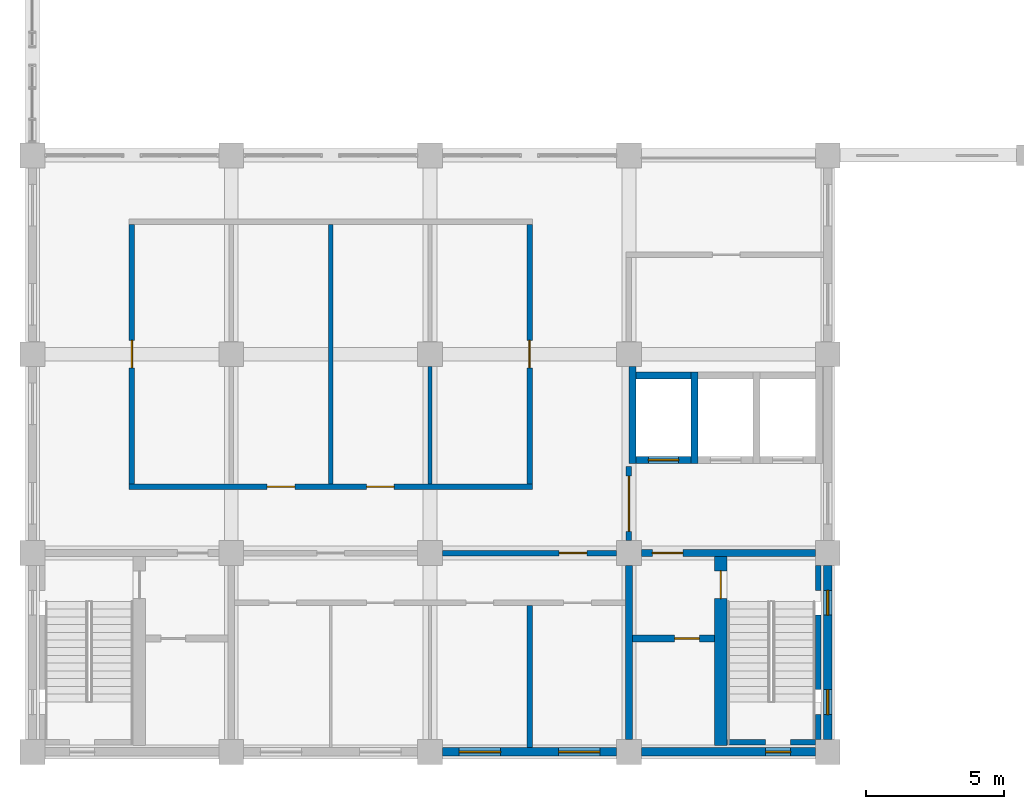
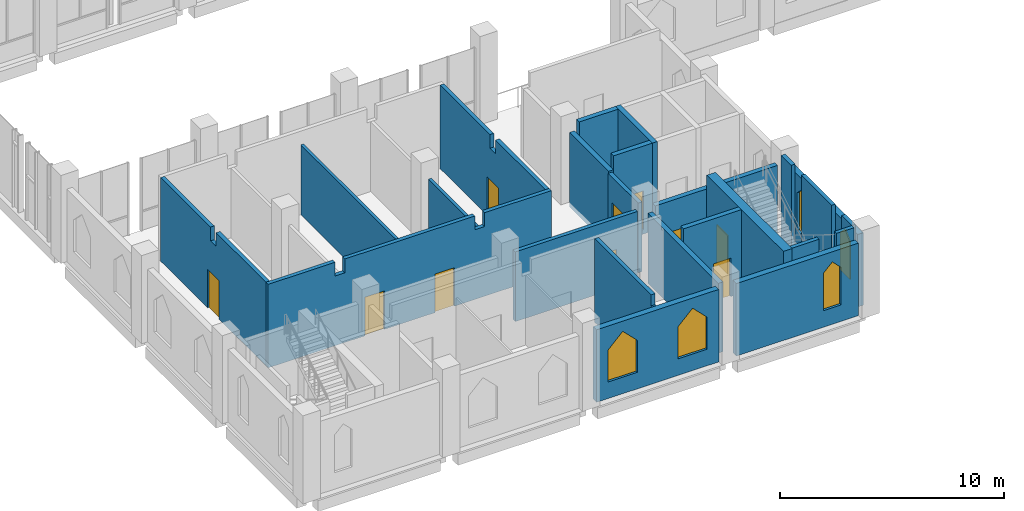
# One storey, part 28 of 39: 24 walls, 10 doors, 5 windows, 15 openings.
"""IFC4 building model written with IfcOpenShell, lengths in metres."""

from ifc_helpers import new_model, si_unit, direction, frame, frame_2d, origin, place, context, subcontext, project, spatial, polyline, rectangle, outline, extrude, material, layer, layer_set, type_object, element, fill, save


model = new_model("IFC4")

# Units and contexts
model_context = context("Model", 3, precision=1e-05, world=origin(), true_north=direction((0.0, 1.0)))
body_context = subcontext(model_context, "Body", "Model", "MODEL_VIEW")
ifc_project = project(units=[si_unit("LENGTHUNIT", "METRE"), si_unit("AREAUNIT", "SQUARE_METRE"), si_unit("VOLUMEUNIT", "CUBIC_METRE"), si_unit("PLANEANGLEUNIT", "RADIAN"), si_unit("MASSUNIT", "GRAM", prefix="KILO")], contexts=[model_context])

# Site, building, storey
site_placement = place(None, origin())
site = spatial("IfcSite", under=ifc_project, at=site_placement, CompositionType="ELEMENT")
building_placement = place(site_placement, origin())
building = spatial("IfcBuilding", under=site, at=building_placement, Name="Silangan Lancet Faculty of Sciences", CompositionType="ELEMENT")
storey_placement = place(building_placement, frame((0.0, 0.0, 26.39990234375)))
storey = spatial("IfcBuildingStorey", under=building, at=storey_placement, Name="L05", CompositionType="ELEMENT", Elevation=26.39990234375)

# Wall, openings, windows
ifc_material_1 = material(Name="Concrete C40/50 precast", Category="concrete")
ifc_layer_1 = layer(ifc_material_1, 0.300048828125)
ifc_layer_set_1 = layer_set([ifc_layer_1], Name="Concrete C40/50 precast")
wall_type_1 = type_object("IfcWallType", Name="EW1 Precast cladding wall", PredefinedType="STANDARD", material=ifc_layer_set_1)
wall_1_placement = place(storey_placement, frame((14.85009765625, 0.0, 0.0), z_axis=(0.0, 0.0, 1.0), x_axis=(1.0, 0.0, 0.0)))
wall_1 = element("IfcWall", 1, at=wall_1_placement, inside=storey, type_object=wall_type_1, Name="EW-L05-S-ST-02", PredefinedType="STANDARD", context=body_context, shape_type="SweptSolid", body=[
    extrude(rectangle(XDim=6.2998046875, YDim=0.300048828125, at=frame_2d((3.14990234375, 0.0))), origin(), (0.0, 0.0, 1.0), 3.9501953125),
])
opening_1_placement = place(wall_1_placement, frame((0.60009765625, 0.0, 0.89990234375)))
opening_1 = element("IfcOpeningElement", 2, at=opening_1_placement, cuts=wall_1, Name="Opening W12", PredefinedType="OPENING", context=body_context, shape_type="SweptSolid", body=[
    extrude(outline(polyline([(0.0, 0.0), (1.5, 0.0), (1.5, 1.75), (0.75, 2.5), (0.0, 1.75), (0.0, 0.0)])), frame((0.0, 0.159912109375, 0.0), z_axis=(0.0, -1.0, 0.0), x_axis=(1.0, 0.0, 0.0)), (0.0, 0.0, 1.0), 0.320068359375),
])
opening_2_placement = place(wall_1_placement, frame((4.199951171875, 0.0, 0.89990234375)))
opening_2 = element("IfcOpeningElement", 3, at=opening_2_placement, cuts=wall_1, Name="Opening W12", PredefinedType="OPENING", context=body_context, shape_type="SweptSolid", body=[
    extrude(outline(polyline([(0.0, 0.0), (1.5, 0.0), (1.5, 1.75), (0.75, 2.5), (0.0, 1.75), (0.0, 0.0)])), frame((0.0, 0.159912109375, 0.0), z_axis=(0.0, -1.0, 0.0), x_axis=(1.0, 0.0, 0.0)), (0.0, 0.0, 1.0), 0.320068359375),
])
ifc_material_2 = material(Name="Aluminium frame, laminated double glazing", Category="aluminium")
window_type_1 = type_object("IfcWindowType", Name="W12 Lancet window 1500 x 2500", PartitioningType="SINGLE_PANEL", PredefinedType="WINDOW", material=ifc_material_2)
window_1_placement = place(opening_1_placement, origin())
window_1 = element("IfcWindow", 4, at=window_1_placement, inside=storey, type_object=window_type_1, Name="WIN-L05-S-ST-02a", OverallHeight=2.5, OverallWidth=1.5, PartitioningType="SINGLE_PANEL", PredefinedType="WINDOW", context=body_context, shape_type="SweptSolid", body=[
    extrude(outline(polyline([(0.0, 0.0), (1.5, 0.0), (1.5, 1.75), (0.75, 2.5), (0.0, 1.75), (0.0, 0.0)])), frame((0.0, 0.030029296875, 0.0), z_axis=(0.0, -1.0, 0.0), x_axis=(1.0, 0.0, 0.0)), (0.0, 0.0, 1.0), 0.06005859375),
])
fill(opening_1, window_1)
window_2_placement = place(opening_2_placement, origin())
window_2 = element("IfcWindow", 5, at=window_2_placement, inside=storey, type_object=window_type_1, Name="WIN-L05-S-ST-02b", OverallHeight=2.5, OverallWidth=1.5, PartitioningType="SINGLE_PANEL", PredefinedType="WINDOW", context=body_context, shape_type="SweptSolid", body=[
    extrude(outline(polyline([(0.0, 0.0), (1.5, 0.0), (1.5, 1.75), (0.75, 2.5), (0.0, 1.75), (0.0, 0.0)])), frame((0.0, 0.030029296875, 0.0), z_axis=(0.0, -1.0, 0.0), x_axis=(1.0, 0.0, 0.0)), (0.0, 0.0, 1.0), 0.06005859375),
])
fill(opening_2, window_2)

# Wall, opening, window
ifc_material_3 = material(Name="Concrete C40/50 precast", Category="concrete")
ifc_layer_2 = layer(ifc_material_3, 0.300048828125)
ifc_layer_set_2 = layer_set([ifc_layer_2], Name="Concrete C40/50 precast")
wall_type_2 = type_object("IfcWallType", Name="EW2 Turret enclosure wall", PredefinedType="STANDARD", material=ifc_layer_set_2)
wall_2_placement = place(storey_placement, frame((22.050048828125, 0.0, 0.0), z_axis=(0.0, 0.0, 1.0), x_axis=(1.0, 0.0, 0.0)))
wall_2 = element("IfcWall", 6, at=wall_2_placement, inside=storey, type_object=wall_type_2, Name="EW-L05-S-ST-03", PredefinedType="STANDARD", context=body_context, shape_type="SweptSolid", body=[
    extrude(rectangle(XDim=6.300048828125, YDim=0.300048828125, at=frame_2d((3.14990234375, 0.0))), origin(), (0.0, 0.0, 1.0), 3.9501953125),
])
opening_3_placement = place(wall_2_placement, frame((4.5, 0.0, 0.89990234375)))
opening_3 = element("IfcOpeningElement", 7, at=opening_3_placement, cuts=wall_2, Name="Opening W11", PredefinedType="OPENING", context=body_context, shape_type="SweptSolid", body=[
    extrude(outline(polyline([(0.0, 0.0), (0.89990234375, 0.0), (0.89990234375, 2.050048828125), (0.449951171875, 2.5), (0.0, 2.050048828125), (0.0, 0.0)])), frame((0.0, 0.159912109375, 0.0), z_axis=(0.0, -1.0, 0.0), x_axis=(1.0, 0.0, 0.0)), (0.0, 0.0, 1.0), 0.320068359375),
])
ifc_material_4 = material(Name="Aluminium frame, laminated double glazing", Category="aluminium")
window_type_2 = type_object("IfcWindowType", Name="W11 Lancet window 900 x 2500", PartitioningType="SINGLE_PANEL", PredefinedType="WINDOW", material=ifc_material_4)
window_3_placement = place(opening_3_placement, origin())
window_3 = element("IfcWindow", 8, at=window_3_placement, inside=storey, type_object=window_type_2, Name="WIN-L05-S-ST-03b", OverallHeight=2.5, OverallWidth=0.89990234375, PartitioningType="SINGLE_PANEL", PredefinedType="WINDOW", context=body_context, shape_type="SweptSolid", body=[
    extrude(outline(polyline([(0.0, 0.0), (0.89990234375, 0.0), (0.89990234375, 2.050048828125), (0.449951171875, 2.5), (0.0, 2.050048828125), (0.0, 0.0)])), frame((0.0, 0.030029296875, 0.0), z_axis=(0.0, -1.0, 0.0), x_axis=(1.0, 0.0, 0.0)), (0.0, 0.0, 1.0), 0.06005859375),
])
fill(opening_3, window_3)

# Wall, openings, windows
wall_3_placement = place(storey_placement, frame((28.800048828125, 0.449951171875, 0.0), z_axis=(0.0, 0.0, 1.0), x_axis=(0.0, 1.0, 0.0)))
wall_3 = element("IfcWall", 9, at=wall_3_placement, inside=storey, type_object=wall_type_2, Name="EW-L05-E-ST-00", PredefinedType="STANDARD", context=body_context, shape_type="SweptSolid", body=[
    extrude(rectangle(XDim=6.300048828125, YDim=0.300048828125, at=frame_2d((3.14990234375, 0.0))), origin(), (0.0, 0.0, 1.0), 3.9501953125),
])
opening_4_placement = place(wall_3_placement, frame((0.89990234375, 0.0, 0.89990234375)))
opening_4 = element("IfcOpeningElement", 10, at=opening_4_placement, cuts=wall_3, Name="Opening W11", PredefinedType="OPENING", context=body_context, shape_type="SweptSolid", body=[
    extrude(outline(polyline([(0.0, 0.0), (0.89990234375, 0.0), (0.89990234375, 2.050048828125), (0.449951171875, 2.5), (0.0, 2.050048828125), (0.0, 0.0)])), frame((0.0, 0.159912109375, 0.0), z_axis=(0.0, -1.0, 0.0), x_axis=(1.0, 0.0, 0.0)), (0.0, 0.0, 1.0), 0.320068359375),
])
opening_5_placement = place(wall_3_placement, frame((4.5, 0.0, 0.89990234375)))
opening_5 = element("IfcOpeningElement", 11, at=opening_5_placement, cuts=wall_3, Name="Opening W11", PredefinedType="OPENING", context=body_context, shape_type="SweptSolid", body=[
    extrude(outline(polyline([(0.0, 0.0), (0.89990234375, 0.0), (0.89990234375, 2.050048828125), (0.449951171875, 2.5), (0.0, 2.050048828125), (0.0, 0.0)])), frame((0.0, 0.159912109375, 0.0), z_axis=(0.0, -1.0, 0.0), x_axis=(1.0, 0.0, 0.0)), (0.0, 0.0, 1.0), 0.320068359375),
])
window_4_placement = place(opening_4_placement, origin())
window_4 = element("IfcWindow", 12, at=window_4_placement, inside=storey, type_object=window_type_2, Name="WIN-L05-E-ST-00a", OverallHeight=2.5, OverallWidth=0.89990234375, PartitioningType="SINGLE_PANEL", PredefinedType="WINDOW", context=body_context, shape_type="SweptSolid", body=[
    extrude(outline(polyline([(0.0, 0.0), (0.89990234375, 0.0), (0.89990234375, 2.050048828125), (0.449951171875, 2.5), (0.0, 2.050048828125), (0.0, 0.0)])), frame((0.0, 0.030029296875, 0.0), z_axis=(0.0, -1.0, 0.0), x_axis=(1.0, 0.0, 0.0)), (0.0, 0.0, 1.0), 0.06005859375),
])
fill(opening_4, window_4)
window_5_placement = place(opening_5_placement, origin())
window_5 = element("IfcWindow", 13, at=window_5_placement, inside=storey, type_object=window_type_2, Name="WIN-L05-E-ST-00b", OverallHeight=2.5, OverallWidth=0.89990234375, PartitioningType="SINGLE_PANEL", PredefinedType="WINDOW", context=body_context, shape_type="SweptSolid", body=[
    extrude(outline(polyline([(0.0, 0.0), (0.89990234375, 0.0), (0.89990234375, 2.050048828125), (0.449951171875, 2.5), (0.0, 2.050048828125), (0.0, 0.0)])), frame((0.0, 0.030029296875, 0.0), z_axis=(0.0, -1.0, 0.0), x_axis=(1.0, 0.0, 0.0)), (0.0, 0.0, 1.0), 0.06005859375),
])
fill(opening_5, window_5)

# Wall, opening, door
ifc_material_5 = material(Name="Hollow block masonry fm 7 MPa", Category="masonry")
ifc_layer_3 = layer(ifc_material_5, 0.199951171875)
ifc_layer_set_3 = layer_set([ifc_layer_3], Name="Hollow block masonry fm 7 MPa")
wall_type_3 = type_object("IfcWallType", Name="Interior wall PW1 Corridor wall CHB 200", PredefinedType="PARTITIONING", material=ifc_layer_set_3)
wall_4_placement = place(storey_placement, frame((14.85009765625, 7.199951171875, 0.0), z_axis=(0.0, 0.0, 1.0), x_axis=(1.0, 0.0, 0.0)))
wall_4 = element("IfcWall", 14, at=wall_4_placement, inside=storey, type_object=wall_type_3, Name="Corridor wall CHB 200", PredefinedType="PARTITIONING", context=body_context, shape_type="SweptSolid", body=[
    extrude(rectangle(XDim=6.2998046875, YDim=0.199951171875, at=frame_2d((3.14990234375, 0.0))), origin(), (0.0, 0.0, 1.0), 3.800048828125),
])
opening_6_placement = place(wall_4_placement, frame((4.224853515625, 0.0, 0.0)))
opening_6 = element("IfcOpeningElement", 15, at=opening_6_placement, cuts=wall_4, Name="Opening L05-003", PredefinedType="OPENING", context=body_context, shape_type="SweptSolid", body=[
    extrude(rectangle(XDim=1.0, YDim=2.10009765625, at=frame_2d((0.5, 1.050048828125))), frame((0.0, 0.10986328125, 0.0), z_axis=(0.0, -1.0, 0.0), x_axis=(1.0, 0.0, 0.0)), (0.0, 0.0, 1.0), 0.219970703125),
])
ifc_material_6 = material(Name="Steel fire door set", Category="steel")
door_type_1 = type_object("IfcDoorType", Name="Door D1 Single leaf fire door 1000 x 2100", OperationType="SINGLE_SWING_LEFT", PredefinedType="DOOR", material=ifc_material_6)
door_1_placement = place(opening_6_placement, frame((1.0, 0.0, 0.0), z_axis=(0.0, 0.0, 1.0), x_axis=(-1.0, 0.0, 0.0)))
door_1 = element("IfcDoor", 16, at=door_1_placement, inside=storey, type_object=door_type_1, Name="Single leaf fire door 1000 x 2100", OperationType="SINGLE_SWING_LEFT", OverallHeight=2.10009765625, OverallWidth=1.0, PredefinedType="DOOR", context=body_context, shape_type="SweptSolid", body=[
    extrude(rectangle(XDim=1.0, YDim=2.10009765625, at=frame_2d((0.5, 1.050048828125))), frame((0.0, 0.025146484375, 0.0), z_axis=(0.0, -1.0, 0.0), x_axis=(1.0, 0.0, 0.0)), (0.0, 0.0, 1.0), 0.050048828125),
])
fill(opening_6, door_1)

# Wall, openings, doors
wall_5_placement = place(storey_placement, frame((3.5, 9.60009765625, 0.0), z_axis=(0.0, 0.0, 1.0), x_axis=(1.0, 0.0, 0.0)))
wall_5 = element("IfcWall", 17, at=wall_5_placement, inside=storey, type_object=wall_type_3, Name="Corridor wall CHB 200", PredefinedType="PARTITIONING", context=body_context, shape_type="SweptSolid", body=[
    extrude(outline(polyline([(0.0, 0.0), (14.60009765625, 0.0), (14.60009765625, 4.550048828125), (11.14990234375, 4.550048828125), (11.14990234375, 3.800048828125), (10.64990234375, 3.800048828125), (10.64990234375, 4.550048828125), (3.949951171875, 4.550048828125), (3.949951171875, 3.800048828125), (3.449951171875, 3.800048828125), (3.449951171875, 4.550048828125), (0.0, 4.550048828125), (0.0, 0.0)])), frame((0.0, 0.10009765625, 0.0), z_axis=(0.0, -1.0, 0.0), x_axis=(1.0, 0.0, 0.0)), (0.0, 0.0, 1.0), 0.199951171875),
])
opening_7_placement = place(wall_5_placement, frame((5.0, 0.0, 0.0)))
opening_7 = element("IfcOpeningElement", 18, at=opening_7_placement, cuts=wall_5, Name="Opening L05-014", PredefinedType="OPENING", context=body_context, shape_type="SweptSolid", body=[
    extrude(rectangle(XDim=1.0, YDim=2.10009765625, at=frame_2d((0.5, 1.050048828125))), frame((0.0, 0.10986328125, 0.0), z_axis=(0.0, -1.0, 0.0), x_axis=(1.0, 0.0, 0.0)), (0.0, 0.0, 1.0), 0.219970703125),
])
opening_8_placement = place(wall_5_placement, frame((8.60009765625, 0.0, 0.0)))
opening_8 = element("IfcOpeningElement", 19, at=opening_8_placement, cuts=wall_5, Name="Opening L05-015", PredefinedType="OPENING", context=body_context, shape_type="SweptSolid", body=[
    extrude(rectangle(XDim=1.0, YDim=2.10009765625, at=frame_2d((0.5, 1.050048828125))), frame((0.0, 0.10986328125, 0.0), z_axis=(0.0, -1.0, 0.0), x_axis=(1.0, 0.0, 0.0)), (0.0, 0.0, 1.0), 0.219970703125),
])
door_2_placement = place(opening_7_placement, origin())
door_2 = element("IfcDoor", 20, at=door_2_placement, inside=storey, type_object=door_type_1, Name="Single leaf fire door 1000 x 2100", OperationType="SINGLE_SWING_LEFT", OverallHeight=2.10009765625, OverallWidth=1.0, PredefinedType="DOOR", context=body_context, shape_type="SweptSolid", body=[
    extrude(rectangle(XDim=1.0, YDim=2.10009765625, at=frame_2d((0.5, 1.050048828125))), frame((0.0, 0.02490234375, 0.0), z_axis=(0.0, -1.0, 0.0), x_axis=(1.0, 0.0, 0.0)), (0.0, 0.0, 1.0), 0.050048828125),
])
fill(opening_7, door_2)
door_3_placement = place(opening_8_placement, origin())
door_3 = element("IfcDoor", 21, at=door_3_placement, inside=storey, type_object=door_type_1, Name="Single leaf fire door 1000 x 2100", OperationType="SINGLE_SWING_RIGHT", OverallHeight=2.10009765625, OverallWidth=1.0, PredefinedType="DOOR", context=body_context, shape_type="SweptSolid", body=[
    extrude(rectangle(XDim=1.0, YDim=2.10009765625, at=frame_2d((0.5, 1.050048828125))), frame((0.0, 0.02490234375, 0.0), z_axis=(0.0, -1.0, 0.0), x_axis=(1.0, 0.0, 0.0)), (0.0, 0.0, 1.0), 0.050048828125),
])
fill(opening_8, door_3)

# Wall, opening, door
wall_6_placement = place(storey_placement, frame((3.60009765625, 9.699951171875, 0.0), z_axis=(0.0, 0.0, 1.0), x_axis=(0.0, 1.0, 0.0)))
wall_6 = element("IfcWall", 22, at=wall_6_placement, inside=storey, type_object=wall_type_3, Name="Corridor wall CHB 200", PredefinedType="PARTITIONING", context=body_context, shape_type="SweptSolid", body=[
    extrude(outline(polyline([(0.0, 0.0), (9.400146484375, 0.0), (9.400146484375, 4.550048828125), (4.949951171875, 4.550048828125), (4.949951171875, 3.800048828125), (4.449951171875, 3.800048828125), (4.449951171875, 4.550048828125), (0.0, 4.550048828125), (0.0, 0.0)])), frame((0.0, 0.10009765625, 0.0), z_axis=(0.0, -1.0, 0.0), x_axis=(1.0, 0.0, 0.0)), (0.0, 0.0, 1.0), 0.199951171875),
])
opening_9_placement = place(wall_6_placement, frame((4.199951171875, 0.0, 0.0)))
opening_9 = element("IfcOpeningElement", 23, at=opening_9_placement, cuts=wall_6, Name="Opening L05-013", PredefinedType="OPENING", context=body_context, shape_type="SweptSolid", body=[
    extrude(rectangle(XDim=1.0, YDim=2.10009765625, at=frame_2d((0.5, 1.050048828125))), frame((0.0, 0.10986328125, 0.0), z_axis=(0.0, -1.0, 0.0), x_axis=(1.0, 0.0, 0.0)), (0.0, 0.0, 1.0), 0.219970703125),
])
door_4_placement = place(opening_9_placement, frame((1.0, 0.0, 0.0), z_axis=(0.0, 0.0, 1.0), x_axis=(-1.0, 0.0, 0.0)))
door_4 = element("IfcDoor", 24, at=door_4_placement, inside=storey, type_object=door_type_1, Name="Single leaf fire door 1000 x 2100", OperationType="SINGLE_SWING_LEFT", OverallHeight=2.10009765625, OverallWidth=1.0, PredefinedType="DOOR", context=body_context, shape_type="SweptSolid", body=[
    extrude(rectangle(XDim=1.0, YDim=2.10009765625, at=frame_2d((0.5, 1.050048828125))), frame((0.0, 0.025146484375, 0.0), z_axis=(0.0, -1.0, 0.0), x_axis=(1.0, 0.0, 0.0)), (0.0, 0.0, 1.0), 0.050048828125),
])
fill(opening_9, door_4)

wall_7_placement = place(storey_placement, frame((18.0, 9.699951171875, 0.0), z_axis=(0.0, 0.0, 1.0), x_axis=(0.0, 1.0, 0.0)))
wall_7 = element("IfcWall", 25, at=wall_7_placement, inside=storey, type_object=wall_type_3, Name="Corridor wall CHB 200", PredefinedType="PARTITIONING", context=body_context, shape_type="SweptSolid", body=[
    extrude(outline(polyline([(0.0, 0.0), (9.400146484375, 0.0), (9.400146484375, 4.550048828125), (4.949951171875, 4.550048828125), (4.949951171875, 3.800048828125), (4.449951171875, 3.800048828125), (4.449951171875, 4.550048828125), (0.0, 4.550048828125), (0.0, 0.0)])), frame((0.0, 0.10009765625, 0.0), z_axis=(0.0, -1.0, 0.0), x_axis=(1.0, 0.0, 0.0)), (0.0, 0.0, 1.0), 0.199951171875),
])
opening_10_placement = place(wall_7_placement, frame((4.199951171875, 0.0, 0.0)))
opening_10 = element("IfcOpeningElement", 26, at=opening_10_placement, cuts=wall_7, Name="Opening L05-016", PredefinedType="OPENING", context=body_context, shape_type="SweptSolid", body=[
    extrude(rectangle(XDim=1.0, YDim=2.10009765625, at=frame_2d((0.5, 1.050048828125))), frame((0.0, 0.10986328125, 0.0), z_axis=(0.0, -1.0, 0.0), x_axis=(1.0, 0.0, 0.0)), (0.0, 0.0, 1.0), 0.219970703125),
])
door_5_placement = place(opening_10_placement, origin())
door_5 = element("IfcDoor", 27, at=door_5_placement, inside=storey, type_object=door_type_1, Name="Single leaf fire door 1000 x 2100", OperationType="SINGLE_SWING_LEFT", OverallHeight=2.10009765625, OverallWidth=1.0, PredefinedType="DOOR", context=body_context, shape_type="SweptSolid", body=[
    extrude(rectangle(XDim=1.0, YDim=2.10009765625, at=frame_2d((0.5, 1.050048828125))), frame((0.0, 0.02490234375, 0.0), z_axis=(0.0, -1.0, 0.0), x_axis=(1.0, 0.0, 0.0)), (0.0, 0.0, 1.0), 0.050048828125),
])
fill(opening_10, door_5)

# Walls
ifc_material_7 = material(Name="Hollow block masonry fm 7 MPa", Category="masonry")
ifc_layer_4 = layer(ifc_material_7, 0.14990234375)
ifc_layer_set_4 = layer_set([ifc_layer_4], Name="Hollow block masonry fm 7 MPa")
wall_type_4 = type_object("IfcWallType", Name="Interior wall PW3 Partition CHB 150", PredefinedType="PARTITIONING", material=ifc_layer_set_4)
wall_8_placement = place(storey_placement, frame((10.800048828125, 9.699951171875, 0.0), z_axis=(0.0, 0.0, 1.0), x_axis=(0.0, 1.0, 0.0)))
element("IfcWall", 28, at=wall_8_placement, inside=storey, type_object=wall_type_4, Name="Partition CHB 150", PredefinedType="PARTITIONING", context=body_context, shape_type="SweptSolid", body=[
    extrude(rectangle(XDim=9.400146484375, YDim=0.14990234375, at=frame_2d((4.7001953125, 0.0))), origin(), (0.0, 0.0, 1.0), 3.800048828125),
])
wall_9_placement = place(storey_placement, frame((14.39990234375, 9.699951171875, 0.0), z_axis=(0.0, 0.0, 1.0), x_axis=(0.0, 1.0, 0.0)))
element("IfcWall", 29, at=wall_9_placement, inside=storey, type_object=wall_type_4, Name="Partition CHB 150", PredefinedType="PARTITIONING", context=body_context, shape_type="SweptSolid", body=[
    extrude(rectangle(XDim=4.25, YDim=0.14990234375, at=frame_2d((2.125, 0.0))), origin(), (0.0, 0.0, 1.0), 3.800048828125),
])
ifc_material_8 = material(Name="Hollow block masonry fm 7 MPa", Category="masonry")
ifc_layer_5 = layer(ifc_material_8, 0.199951171875)
ifc_layer_set_5 = layer_set([ifc_layer_5], Name="Hollow block masonry fm 7 MPa")
wall_type_5 = type_object("IfcWallType", Name="Interior wall PW4 Laboratory separation CHB 200", PredefinedType="PARTITIONING", material=ifc_layer_set_5)
wall_10_placement = place(storey_placement, frame((18.0, 0.14990234375, 0.0), z_axis=(0.0, 0.0, 1.0), x_axis=(0.0, 1.0, 0.0)))
element("IfcWall", 30, at=wall_10_placement, inside=storey, type_object=wall_type_5, Name="Laboratory separation CHB 200", PredefinedType="PARTITIONING", context=body_context, shape_type="SweptSolid", body=[
    extrude(outline(polyline([(0.0, 0.0), (5.150146484375, 0.0), (5.150146484375, 4.550048828125), (0.10009765625, 4.550048828125), (0.10009765625, 3.9501953125), (0.0, 3.9501953125), (0.0, 0.0)])), frame((0.0, 0.10009765625, 0.0), z_axis=(0.0, -1.0, 0.0), x_axis=(1.0, 0.0, 0.0)), (0.0, 0.0, 1.0), 0.199951171875),
])

# Wall, opening, door
ifc_material_9 = material(Name="Hollow block masonry fm 7 MPa", Category="masonry")
ifc_layer_6 = layer(ifc_material_9, 0.199951171875)
ifc_layer_set_6 = layer_set([ifc_layer_6], Name="Hollow block masonry fm 7 MPa")
wall_type_6 = type_object("IfcWallType", Name="Interior wall PW9 Lift lobby wall CHB 200", PredefinedType="PARTITIONING", material=ifc_layer_set_6)
wall_11_placement = place(storey_placement, frame((21.60009765625, 7.64990234375, 0.0), z_axis=(0.0, 0.0, 1.0), x_axis=(0.0, 1.0, 0.0)))
wall_11 = element("IfcWall", 31, at=wall_11_placement, inside=storey, type_object=wall_type_6, Name="Lift lobby wall CHB 200", PredefinedType="PARTITIONING", context=body_context, shape_type="SweptSolid", body=[
    extrude(rectangle(XDim=2.675048828125, YDim=0.199951171875, at=frame_2d((1.33740234375, 0.0))), origin(), (0.0, 0.0, 1.0), 3.800048828125),
])
opening_11_placement = place(wall_11_placement, frame((0.33740234375, 0.0, 0.0)))
opening_11 = element("IfcOpeningElement", 32, at=opening_11_placement, cuts=wall_11, Name="Opening L05-001", PredefinedType="OPENING", context=body_context, shape_type="SweptSolid", body=[
    extrude(rectangle(XDim=2.0, YDim=2.39990234375, at=frame_2d((1.0, 1.199951171875))), frame((0.0, 0.10986328125, 0.0), z_axis=(0.0, -1.0, 0.0), x_axis=(1.0, 0.0, 0.0)), (0.0, 0.0, 1.0), 0.219970703125),
])
ifc_material_10 = material(Name="Steel fire door set", Category="steel")
door_type_2 = type_object("IfcDoorType", Name="Door D5 Lift lobby double fire door 2000 x 2400", OperationType="DOUBLE_DOOR_SINGLE_SWING", PredefinedType="DOOR", material=ifc_material_10)
door_6_placement = place(opening_11_placement, origin())
door_6 = element("IfcDoor", 33, at=door_6_placement, inside=storey, type_object=door_type_2, Name="Lift lobby double fire door 2000 x 2400", OperationType="DOUBLE_DOOR_SINGLE_SWING", OverallHeight=2.39990234375, OverallWidth=2.0, PredefinedType="DOOR", context=body_context, shape_type="SweptSolid", body=[
    extrude(rectangle(XDim=2.0, YDim=2.39990234375, at=frame_2d((1.0, 1.199951171875))), frame((0.0, 0.02490234375, 0.0), z_axis=(0.0, -1.0, 0.0), x_axis=(1.0, 0.0, 0.0)), (0.0, 0.0, 1.0), 0.050048828125),
])
fill(opening_11, door_6)

# Walls
ifc_material_11 = material(Name="Concrete C40/50", Category="concrete")
ifc_layer_7 = layer(ifc_material_11, 0.25)
ifc_layer_set_7 = layer_set([ifc_layer_7], Name="Concrete C40/50")
wall_type_7 = type_object("IfcWallType", Name="LIFT SHAFT WALL RC 250", PredefinedType="SHEAR", material=ifc_layer_set_7)
wall_12_placement = place(storey_placement, frame((21.72509765625, 10.449951171875, -0.25), z_axis=(0.0, 0.0, 1.0), x_axis=(0.0, 1.0, 0.0)))
element("IfcWall", 34, at=wall_12_placement, inside=storey, type_object=wall_type_7, Name="WALL-L05-ST-SW1", PredefinedType="SHEAR", context=body_context, shape_type="SweptSolid", body=[
    extrude(rectangle(XDim=3.5, YDim=0.25, at=frame_2d((1.75, 0.0))), origin(), (0.0, 0.0, 1.0), 4.050048828125),
])
wall_13_placement = place(storey_placement, frame((23.97509765625, 10.449951171875, -0.25), z_axis=(0.0, 0.0, 1.0), x_axis=(0.0, 1.0, 0.0)))
element("IfcWall", 35, at=wall_13_placement, inside=storey, type_object=wall_type_7, Name="WALL-L05-ST-SW2", PredefinedType="SHEAR", context=body_context, shape_type="SweptSolid", body=[
    extrude(rectangle(XDim=3.300048828125, YDim=0.25, at=frame_2d((1.64990234375, 0.0))), origin(), (0.0, 0.0, 1.0), 4.800048828125),
])

# Wall, opening, door
wall_14_placement = place(storey_placement, frame((21.85009765625, 10.574951171875, -0.25), z_axis=(0.0, 0.0, 1.0), x_axis=(1.0, 0.0, 0.0)))
wall_14 = element("IfcWall", 36, at=wall_14_placement, inside=storey, type_object=wall_type_7, Name="WALL-L05-ST-L1-F", PredefinedType="SHEAR", context=body_context, shape_type="SweptSolid", body=[
    extrude(rectangle(XDim=2.0, YDim=0.25, at=frame_2d((1.0, 0.0))), origin(), (0.0, 0.0, 1.0), 4.800048828125),
])
opening_12_placement = place(wall_14_placement, frame((0.449951171875, 0.0, 0.25)))
opening_12 = element("IfcOpeningElement", 37, at=opening_12_placement, cuts=wall_14, Name="Opening L05-807", PredefinedType="OPENING", context=body_context, shape_type="SweptSolid", body=[
    extrude(rectangle(XDim=1.10009765625, YDim=2.10009765625, at=frame_2d((0.550048828125, 1.050048828125))), frame((0.0, 0.135009765625, 0.0), z_axis=(0.0, -1.0, 0.0), x_axis=(1.0, 0.0, 0.0)), (0.0, 0.0, 1.0), 0.27001953125),
])
ifc_material_12 = material(Name="Stainless steel sliding door", Category="steel")
door_type_3 = type_object("IfcDoorType", Name="LD1 Lift landing door 1100x2100", OperationType="SLIDING_TO_LEFT", PredefinedType="DOOR", material=ifc_material_12)
door_7_placement = place(opening_12_placement, origin())
door_7 = element("IfcDoor", 38, at=door_7_placement, inside=storey, type_object=door_type_3, Name="Landing door ST-L1 L05", OperationType="SLIDING_TO_LEFT", OverallHeight=2.10009765625, OverallWidth=1.10009765625, PredefinedType="DOOR", context=body_context, shape_type="SweptSolid", body=[
    extrude(rectangle(XDim=1.10009765625, YDim=2.10009765625, at=frame_2d((0.550048828125, 1.050048828125))), frame((0.0, 0.02490234375, 0.0), z_axis=(0.0, -1.0, 0.0), x_axis=(1.0, 0.0, 0.0)), (0.0, 0.0, 1.0), 0.050048828125),
])
fill(opening_12, door_7)

# Wall
wall_15_placement = place(storey_placement, frame((21.85009765625, 13.625, -0.25), z_axis=(0.0, 0.0, 1.0), x_axis=(1.0, 0.0, 0.0)))
element("IfcWall", 39, at=wall_15_placement, inside=storey, type_object=wall_type_7, Name="WALL-L05-ST-L1-B", PredefinedType="SHEAR", context=body_context, shape_type="SweptSolid", body=[
    extrude(rectangle(XDim=2.0, YDim=0.25, at=frame_2d((1.0, 0.0))), origin(), (0.0, 0.0, 1.0), 4.800048828125),
])

# Wall, opening, door
ifc_material_13 = material(Name="Concrete C40/50", Category="concrete")
ifc_layer_8 = layer(ifc_material_13, 0.449951171875)
ifc_layer_set_8 = layer_set([ifc_layer_8], Name="Concrete C40/50")
wall_type_8 = type_object("IfcWallType", Name="TURRET CORE WALL RC 450", PredefinedType="SHEAR", material=ifc_layer_set_8)
wall_16_placement = place(storey_placement, frame((24.925048828125, 0.22509765625, 0.0), z_axis=(0.0, 0.0, 1.0), x_axis=(0.0, 1.0, 0.0)))
wall_16 = element("IfcWall", 40, at=wall_16_placement, inside=storey, type_object=wall_type_8, Name="WALL-L05-ST-B-WELL", PredefinedType="SHEAR", context=body_context, shape_type="SweptSolid", body=[
    extrude(rectangle(XDim=6.849853515625, YDim=0.449951171875, at=frame_2d((3.4248046875, 0.0))), origin(), (0.0, 0.0, 1.0), 4.550048828125),
])
opening_13_placement = place(wall_16_placement, frame((5.324951171875, 0.0, 0.0)))
opening_13 = element("IfcOpeningElement", 41, at=opening_13_placement, cuts=wall_16, Name="Opening L05-716", PredefinedType="OPENING", context=body_context, shape_type="SweptSolid", body=[
    extrude(rectangle(XDim=1.0, YDim=2.10009765625, at=frame_2d((0.5, 1.050048828125))), frame((0.0, 0.23486328125, 0.0), z_axis=(0.0, -1.0, 0.0), x_axis=(1.0, 0.0, 0.0)), (0.0, 0.0, 1.0), 0.469970703125),
])
ifc_material_14 = material(Name="Steel fire door set", Category="steel")
door_type_4 = type_object("IfcDoorType", Name="D71 Stair enclosure door 1000x2100", OperationType="SINGLE_SWING_LEFT", PredefinedType="DOOR", material=ifc_material_14)
door_8_placement = place(opening_13_placement, frame((1.0, 0.0, 0.0), z_axis=(0.0, 0.0, 1.0), x_axis=(-1.0, 0.0, 0.0)))
door_8 = element("IfcDoor", 42, at=door_8_placement, inside=storey, type_object=door_type_4, Name="Stair enclosure door ST-B L05", OperationType="SINGLE_SWING_LEFT", OverallHeight=2.10009765625, OverallWidth=1.0, PredefinedType="DOOR", context=body_context, shape_type="SweptSolid", body=[
    extrude(rectangle(XDim=1.0, YDim=2.10009765625, at=frame_2d((0.5, 1.050048828125))), frame((0.0, 0.025146484375, 0.0), z_axis=(0.0, -1.0, 0.0), x_axis=(1.0, 0.0, 0.0)), (0.0, 0.0, 1.0), 0.050048828125),
])
fill(opening_13, door_8)

# Walls
ifc_material_15 = material(Name="Concrete C40/50", Category="concrete")
ifc_layer_9 = layer(ifc_material_15, 0.199951171875)
ifc_layer_set_9 = layer_set([ifc_layer_9], Name="Concrete C40/50")
wall_type_9 = type_object("IfcWallType", Name="TURRET LINING WALL RC 200", PredefinedType="SHEAR", material=ifc_layer_set_9)
wall_17_placement = place(storey_placement, frame((28.449951171875, 0.449951171875, -0.25), z_axis=(0.0, 0.0, 1.0), x_axis=(0.0, 1.0, 0.0)))
element("IfcWall", 43, at=wall_17_placement, inside=storey, type_object=wall_type_9, Name="WALL-L05-ST-B-WL", PredefinedType="SHEAR", context=body_context, shape_type="SweptSolid", body=[
    extrude(rectangle(XDim=0.900146484375, YDim=0.199951171875, at=frame_2d((0.4501953125, 0.0))), origin(), (0.0, 0.0, 1.0), 4.800048828125),
])
wall_18_placement = place(storey_placement, frame((28.449951171875, 2.25, -0.25), z_axis=(0.0, 0.0, 1.0), x_axis=(0.0, 1.0, 0.0)))
element("IfcWall", 44, at=wall_18_placement, inside=storey, type_object=wall_type_9, Name="WALL-L05-ST-B-WL-2", PredefinedType="SHEAR", context=body_context, shape_type="SweptSolid", body=[
    extrude(rectangle(XDim=2.699951171875, YDim=0.199951171875, at=frame_2d((1.35009765625, 0.0))), origin(), (0.0, 0.0, 1.0), 4.800048828125),
])
wall_19_placement = place(storey_placement, frame((28.449951171875, 5.85009765625, -0.25), z_axis=(0.0, 0.0, 1.0), x_axis=(0.0, 1.0, 0.0)))
element("IfcWall", 45, at=wall_19_placement, inside=storey, type_object=wall_type_9, Name="WALL-L05-ST-B-WL-3", PredefinedType="SHEAR", context=body_context, shape_type="SweptSolid", body=[
    extrude(rectangle(XDim=0.89990234375, YDim=0.199951171875, at=frame_2d((0.449951171875, 0.0))), origin(), (0.0, 0.0, 1.0), 4.800048828125),
])
wall_20_placement = place(storey_placement, frame((25.14990234375, 0.35009765625, -0.25), z_axis=(0.0, 0.0, 1.0), x_axis=(1.0, 0.0, 0.0)))
element("IfcWall", 46, at=wall_20_placement, inside=storey, type_object=wall_type_9, Name="WALL-L05-ST-B-WLD", PredefinedType="SHEAR", context=body_context, shape_type="SweptSolid", body=[
    extrude(rectangle(XDim=1.400146484375, YDim=0.199951171875, at=frame_2d((0.7001953125, 0.0))), origin(), (0.0, 0.0, 1.0), 4.800048828125),
])
wall_21_placement = place(storey_placement, frame((27.449951171875, 0.35009765625, -0.25), z_axis=(0.0, 0.0, 1.0), x_axis=(1.0, 0.0, 0.0)))
element("IfcWall", 47, at=wall_21_placement, inside=storey, type_object=wall_type_9, Name="WALL-L05-ST-B-WLD-2", PredefinedType="SHEAR", context=body_context, shape_type="SweptSolid", body=[
    extrude(rectangle(XDim=0.900146484375, YDim=0.199951171875, at=frame_2d((0.4501953125, 0.0))), origin(), (0.0, 0.0, 1.0), 4.800048828125),
])

# Wall, opening, door
ifc_material_16 = material(Name="Concrete C40/50", Category="concrete")
ifc_layer_10 = layer(ifc_material_16, 0.25)
ifc_layer_set_10 = layer_set([ifc_layer_10], Name="Concrete C40/50")
wall_type_10 = type_object("IfcWallType", Name="TURRET WALL RC 250", PredefinedType="SHEAR", material=ifc_layer_set_10)
wall_22_placement = place(storey_placement, frame((22.050048828125, 7.199951171875, 0.0), z_axis=(0.0, 0.0, 1.0), x_axis=(1.0, 0.0, 0.0)))
wall_22 = element("IfcWall", 48, at=wall_22_placement, inside=storey, type_object=wall_type_10, Name="WALL-L05-ST-B-V", PredefinedType="SHEAR", context=body_context, shape_type="SweptSolid", body=[
    extrude(rectangle(XDim=6.300048828125, YDim=0.25, at=frame_2d((3.14990234375, 0.0))), origin(), (0.0, 0.0, 1.0), 3.800048828125),
])
opening_14_placement = place(wall_22_placement, frame((0.39990234375, 0.0, 0.0)))
opening_14 = element("IfcOpeningElement", 49, at=opening_14_placement, cuts=wall_22, Name="Opening L05-717", PredefinedType="OPENING", context=body_context, shape_type="SweptSolid", body=[
    extrude(rectangle(XDim=1.10009765625, YDim=2.10009765625, at=frame_2d((0.550048828125, 1.050048828125))), frame((0.0, 0.135009765625, 0.0), z_axis=(0.0, -1.0, 0.0), x_axis=(1.0, 0.0, 0.0)), (0.0, 0.0, 1.0), 0.27001953125),
])
ifc_material_17 = material(Name="Steel fire door set", Category="steel")
door_type_5 = type_object("IfcDoorType", Name="D70 Stair vestibule door 1100x2100", OperationType="SINGLE_SWING_LEFT", PredefinedType="DOOR", material=ifc_material_17)
door_9_placement = place(opening_14_placement, frame((1.10009765625, 0.0, 0.0), z_axis=(0.0, 0.0, 1.0), x_axis=(-1.0, 0.0, 0.0)))
door_9 = element("IfcDoor", 50, at=door_9_placement, inside=storey, type_object=door_type_5, Name="Stair vestibule door ST-B L05", OperationType="SINGLE_SWING_RIGHT", OverallHeight=2.10009765625, OverallWidth=1.10009765625, PredefinedType="DOOR", context=body_context, shape_type="SweptSolid", body=[
    extrude(rectangle(XDim=1.10009765625, YDim=2.10009765625, at=frame_2d((0.550048828125, 1.050048828125))), frame((0.0, 0.025146484375, 0.0), z_axis=(0.0, -1.0, 0.0), x_axis=(1.0, 0.0, 0.0)), (0.0, 0.0, 1.0), 0.050048828125),
])
fill(opening_14, door_9)

# Wall
wall_23_placement = place(storey_placement, frame((21.60009765625, 0.449951171875, 0.0), z_axis=(0.0, 0.0, 1.0), x_axis=(0.0, 1.0, 0.0)))
element("IfcWall", 51, at=wall_23_placement, inside=storey, type_object=wall_type_10, Name="WALL-L05-ST-B-O", PredefinedType="SHEAR", context=body_context, shape_type="SweptSolid", body=[
    extrude(rectangle(XDim=6.300048828125, YDim=0.25, at=frame_2d((3.14990234375, 0.0))), origin(), (0.0, 0.0, 1.0), 3.800048828125),
])

# Wall, opening, door
wall_24_placement = place(storey_placement, frame((21.72509765625, 4.10009765625, 0.0), z_axis=(0.0, 0.0, 1.0), x_axis=(1.0, 0.0, 0.0)))
wall_24 = element("IfcWall", 52, at=wall_24_placement, inside=storey, type_object=wall_type_10, Name="WALL-L05-ST-B-RISER", PredefinedType="SHEAR", context=body_context, shape_type="SweptSolid", body=[
    extrude(rectangle(XDim=2.974853515625, YDim=0.25, at=frame_2d((1.4873046875, 0.0))), origin(), (0.0, 0.0, 1.0), 4.550048828125),
])
opening_15_placement = place(wall_24_placement, frame((1.52490234375, 0.0, 0.0)))
opening_15 = element("IfcOpeningElement", 53, at=opening_15_placement, cuts=wall_24, Name="Opening L05-718", PredefinedType="OPENING", context=body_context, shape_type="SweptSolid", body=[
    extrude(rectangle(XDim=0.89990234375, YDim=2.10009765625, at=frame_2d((0.449951171875, 1.050048828125))), frame((0.0, 0.135009765625, 0.0), z_axis=(0.0, -1.0, 0.0), x_axis=(1.0, 0.0, 0.0)), (0.0, 0.0, 1.0), 0.27001953125),
])
ifc_material_18 = material(Name="Steel fire door set", Category="steel")
door_type_6 = type_object("IfcDoorType", Name="D72 Riser access door 900x2100", OperationType="SINGLE_SWING_LEFT", PredefinedType="DOOR", material=ifc_material_18)
door_10_placement = place(opening_15_placement, frame((0.89990234375, 0.0, 0.0), z_axis=(0.0, 0.0, 1.0), x_axis=(-1.0, 0.0, 0.0)))
door_10 = element("IfcDoor", 54, at=door_10_placement, inside=storey, type_object=door_type_6, Name="Riser access door ST-B L05", OperationType="SINGLE_SWING_RIGHT", OverallHeight=2.10009765625, OverallWidth=0.89990234375, PredefinedType="DOOR", context=body_context, shape_type="SweptSolid", body=[
    extrude(rectangle(XDim=0.89990234375, YDim=2.10009765625, at=frame_2d((0.449951171875, 1.050048828125))), frame((0.0, 0.025146484375, 0.0), z_axis=(0.0, -1.0, 0.0), x_axis=(1.0, 0.0, 0.0)), (0.0, 0.0, 1.0), 0.050048828125),
])
fill(opening_15, door_10)

save(model, "model.ifc")
